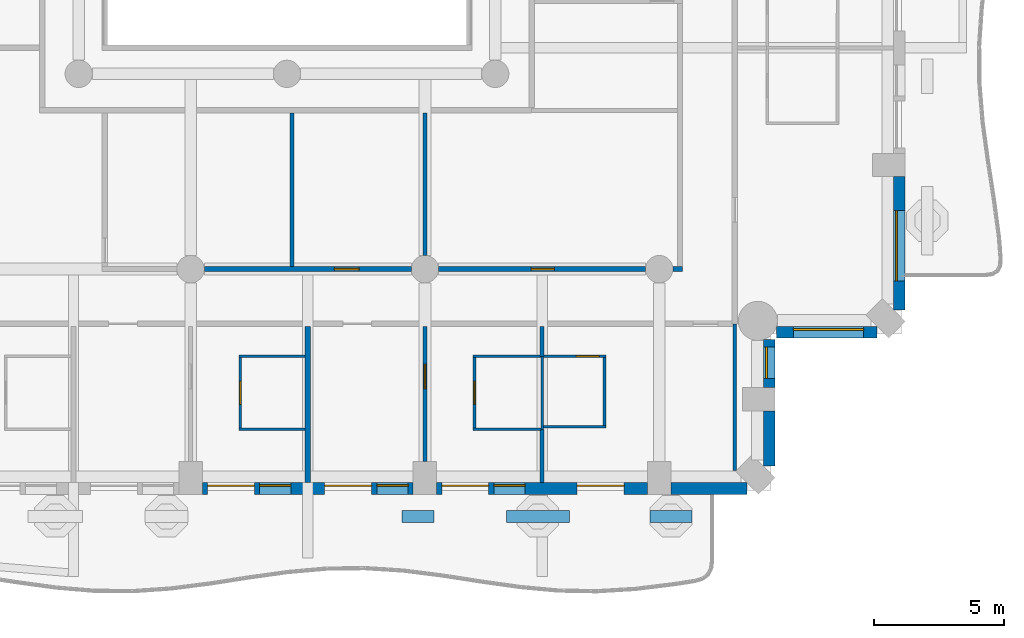
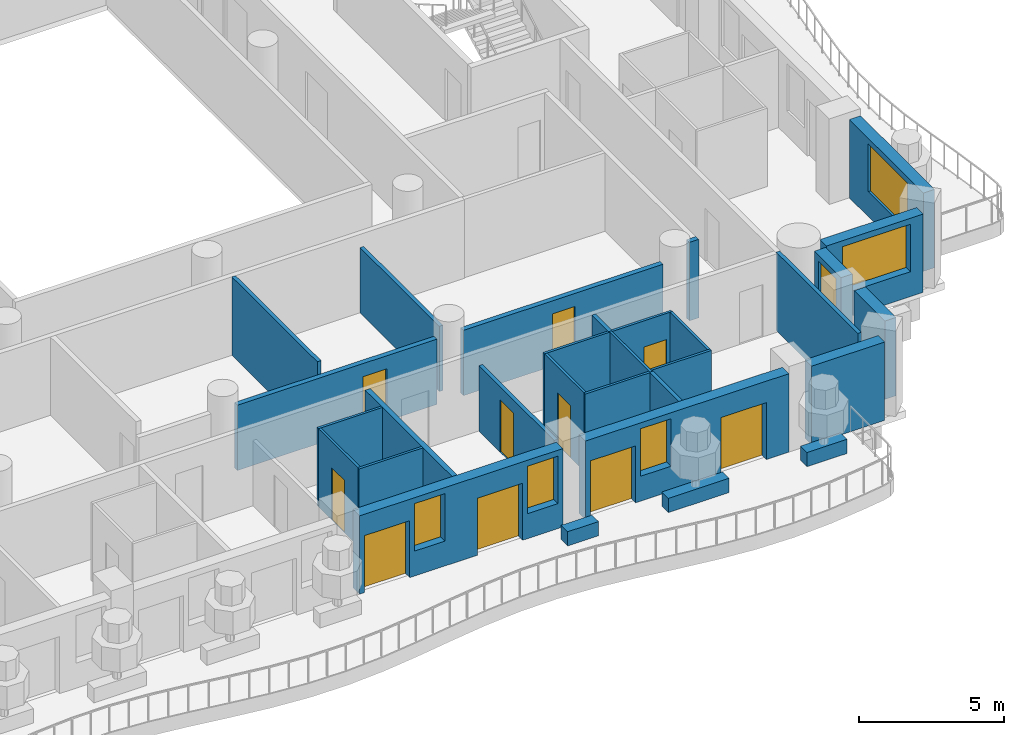
# One storey, part 5 of 19: 29 walls, 10 doors, 6 windows, 16 openings.
"""IFC4 building model written with IfcOpenShell, lengths in metres."""

import ifcopenshell
import ifcopenshell.guid

model = None  # the IFC model being written
_history = None  # IfcOwnerHistory: only IFC2X3 demands one
_inside = {}  # id of a spatial element -> (the spatial element, [elements in it])
_under = {}  # id of a project, library or spatial element -> (it, [spatial elements below it])
_declared = {}  # id of a project -> (the project, [libraries it declares])
_typed = {}  # id of a type object -> (the type object, [elements of that type])
_made_of = {}  # id of a material, layer set ... -> (it, [elements and type objects made of it])


def new_model(schema):
    """Start an empty IFC model of exactly this schema.

    Asked for "IFC4X3", IfcOpenShell would pick the latest addendum, in which some entities
    have other attributes; the version numbers below select the first issue.
    IFC2X3 requires an IfcOwnerHistory on every rooted entity: one is made here for all.
    """
    global model, _history
    if schema == "IFC4X3":
        model = ifcopenshell.file(schema_version=(4, 3, 0, 0))
    else:
        model = ifcopenshell.file(schema=schema)
    _inside.clear()
    _under.clear()
    _declared.clear()
    _typed.clear()
    _made_of.clear()
    _history = None
    if model.schema == "IFC2X3":
        org = make("IfcOrganization", Name="unknown")
        user = make(
            "IfcPersonAndOrganization",
            ThePerson=make("IfcPerson", FamilyName="unknown"),
            TheOrganization=org,
        )
        app = make(
            "IfcApplication",
            ApplicationDeveloper=org,
            Version="unknown",
            ApplicationFullName="unknown",
            ApplicationIdentifier="unknown",
        )
        _history = make(
            "IfcOwnerHistory",
            OwningUser=user,
            OwningApplication=app,
            ChangeAction="ADDED",
            CreationDate=0,
        )
    return model


def make(cls, **values):
    """One entity of the class cls with the attributes given. An attribute that is None is left unset."""
    return model.create_entity(
        cls, **{name: value for name, value in values.items() if value is not None}
    )


def rooted(cls, **values):
    """An entity with a GlobalId (a new one), such as an element, a storey or a relation."""
    return make(cls, GlobalId=ifcopenshell.guid.new(), OwnerHistory=_history, **values)


def si_unit(unit_type, name, prefix=None):
    """IfcSIUnit, for example si_unit("LENGTHUNIT", "METRE", prefix="MILLI")."""
    return make("IfcSIUnit", UnitType=unit_type, Prefix=prefix, Name=name)


def assignment(units):
    """IfcUnitAssignment: the units of a project."""
    return None if units is None else make("IfcUnitAssignment", Units=units)


def point(xyz):
    """IfcCartesianPoint."""
    return None if xyz is None else make("IfcCartesianPoint", Coordinates=xyz)


def direction(xyz):
    """IfcDirection."""
    return None if xyz is None else make("IfcDirection", DirectionRatios=xyz)


def frame(location, z_axis=None, x_axis=None):
    """IfcAxis2Placement3D, a coordinate frame: its origin and axes. An axis left out is left unset."""
    return make(
        "IfcAxis2Placement3D",
        Location=point(location),
        Axis=direction(z_axis),
        RefDirection=direction(x_axis),
    )


def frame_2d(location, x_axis=None):
    """IfcAxis2Placement2D, a coordinate frame in the plane: its origin and x axis."""
    return make(
        "IfcAxis2Placement2D", Location=point(location), RefDirection=direction(x_axis)
    )


def origin():
    """The frame at (0, 0, 0) with its axes left unset."""
    return frame((0.0, 0.0, 0.0))


def place(relative_to, where):
    """IfcLocalPlacement: puts the frame where relative to a parent placement (None: the world)."""
    return make(
        "IfcLocalPlacement", PlacementRelTo=relative_to, RelativePlacement=where
    )


def context(
    kind, dimensions, precision=None, world=None, true_north=None, identifier=None
):
    """IfcGeometricRepresentationContext, for example the 3D "Model" context."""
    return make(
        "IfcGeometricRepresentationContext",
        ContextIdentifier=identifier,
        ContextType=kind,
        CoordinateSpaceDimension=dimensions,
        Precision=precision,
        WorldCoordinateSystem=world,
        TrueNorth=true_north,
    )


def subcontext(parent, identifier, kind, view, scale=None):
    """IfcGeometricRepresentationSubContext, for example "Body" below "Model"."""
    return make(
        "IfcGeometricRepresentationSubContext",
        ContextIdentifier=identifier,
        ContextType=kind,
        ParentContext=parent,
        TargetScale=scale,
        TargetView=view,
    )


def project(units=None, contexts=None):
    """IfcProject with its units and contexts."""
    return rooted(
        "IfcProject",
        Name="project",
        RepresentationContexts=contexts,
        UnitsInContext=assignment(units),
    )


def spatial(cls, under=None, at=None, **own):
    """A site, building, storey or space (cls), placed at a placement, below another one or the project."""
    s = rooted(cls, ObjectPlacement=at, **own)
    if under is not None:
        _under.setdefault(under.id(), (under, []))[1].append(s)
    return s


def profile(cls, at=None, kind="AREA", **sizes):
    """A parametric profile (cls). Its sizes go by their IFC names, for example OverallWidth=200.0."""
    return make(cls, ProfileType=kind, Position=at, **sizes)


def rectangle(**sizes):
    """IfcRectangleProfileDef."""
    return profile("IfcRectangleProfileDef", **sizes)


def extrude(swept, where, along, depth):
    """IfcExtrudedAreaSolid: the profile swept, set in the frame where, extruded along a direction by depth."""
    return make(
        "IfcExtrudedAreaSolid",
        SweptArea=swept,
        Position=where,
        ExtrudedDirection=direction(along),
        Depth=depth,
    )


def shape(context_of_items, identifier, shape_type, items):
    """IfcShapeRepresentation: the items that make up one representation, for example the "Body"."""
    return make(
        "IfcShapeRepresentation",
        ContextOfItems=context_of_items,
        RepresentationIdentifier=identifier,
        RepresentationType=shape_type,
        Items=items,
    )


def material(Name=None, Category=None):
    """IfcMaterial."""
    return make("IfcMaterial", Name=Name, Category=Category)


def layer(
    of_material, thickness, ventilated=None, Name=None, Category=None, Priority=None
):
    """IfcMaterialLayer: one layer of a wall or slab, of a material (None: an air gap)."""
    return make(
        "IfcMaterialLayer",
        Material=of_material,
        LayerThickness=thickness,
        IsVentilated=ventilated,
        Name=Name,
        Category=Category,
        Priority=Priority,
    )


def layer_set(layers, Name=None):
    """IfcMaterialLayerSet."""
    return make("IfcMaterialLayerSet", MaterialLayers=layers, LayerSetName=Name)


def made_of(thing, what):
    """Note that an element or type object is made of a material, layer set ...; save() writes the relation."""
    if what is not None:
        _made_of.setdefault(what.id(), (what, []))[1].append(thing)
    return thing


def type_object(cls, material=None, **own):
    """A type object (cls), such as IfcWallType, which elements share."""
    return made_of(rooted(cls, **own), material)


def element(
    cls,
    number,
    at=None,
    inside=None,
    cuts=None,
    type_object=None,
    material=None,
    context=None,
    identifier="Body",
    shape_type=None,
    held_by="IfcProductDefinitionShape",
    body=None,
    shapes=None,
    **own,
):
    """One element of the class cls, such as IfcWall. Its Tag is "e" and its number.

    at: its placement. inside: the storey or other place that contains it. cuts: it is an
    opening in that element (IfcRelVoidsElement). A single representation is given by context,
    identifier, shape_type and body (its items); several are given by shapes. held_by: the class
    of the entity that holds the representations. save() writes the other relations.
    """
    e = rooted(cls, Tag="e%d" % number, ObjectPlacement=at, **own)
    if body is not None:
        shapes = [shape(context, identifier, shape_type, body)]
    if shapes is not None:
        e.Representation = make(held_by, Representations=shapes)
    if inside is not None:
        _inside.setdefault(inside.id(), (inside, []))[1].append(e)
    if cuts is not None:
        rooted(
            "IfcRelVoidsElement", RelatingBuildingElement=cuts, RelatedOpeningElement=e
        )
    if type_object is not None:
        _typed.setdefault(type_object.id(), (type_object, []))[1].append(e)
    return made_of(e, material)


def fill(opening, filler):
    """IfcRelFillsElement: the door or window that sits in an opening."""
    return rooted(
        "IfcRelFillsElement",
        RelatingOpeningElement=opening,
        RelatedBuildingElement=filler,
    )


def aggregate(whole, parts):
    """IfcRelAggregates: a whole, such as a stair, and the parts it consists of."""
    return rooted("IfcRelAggregates", RelatingObject=whole, RelatedObjects=parts)


def save(model, path):
    """Write the relations noted so far, then the file.

    IfcRelAggregates (storeys below a building ...), IfcRelContainedInSpatialStructure (elements
    in a storey), IfcRelDefinesByType, IfcRelAssociatesMaterial and IfcRelDeclares: one each for
    every whole, place, type object, material and project.
    """
    for whole, parts in _under.values():
        aggregate(whole, parts)
    for where, things in _inside.values():
        rooted(
            "IfcRelContainedInSpatialStructure",
            RelatedElements=things,
            RelatingStructure=where,
        )
    for kind, things in _typed.values():
        rooted("IfcRelDefinesByType", RelatedObjects=things, RelatingType=kind)
    for what, things in _made_of.values():
        rooted("IfcRelAssociatesMaterial", RelatedObjects=things, RelatingMaterial=what)
    for by, libraries in _declared.values():
        rooted("IfcRelDeclares", RelatingContext=by, RelatedDefinitions=libraries)
    model.write(path)


model = new_model("IFC4")

# Units and contexts
model_context = context("Model", 3, precision=1e-05, world=origin(), true_north=direction((0.0, 1.0)))
body_context = subcontext(model_context, "Body", "Model", "MODEL_VIEW")
ifc_project = project(units=[si_unit("LENGTHUNIT", "METRE"), si_unit("AREAUNIT", "SQUARE_METRE"), si_unit("VOLUMEUNIT", "CUBIC_METRE"), si_unit("PLANEANGLEUNIT", "RADIAN"), si_unit("MASSUNIT", "GRAM", prefix="KILO")], contexts=[model_context])

# Site, building, storey
site_placement = place(None, origin())
site = spatial("IfcSite", under=ifc_project, at=site_placement, CompositionType="ELEMENT")
building_placement = place(site_placement, origin())
building = spatial("IfcBuilding", under=site, at=building_placement, Name="Cypress Arch Tower", CompositionType="ELEMENT")
storey_placement = place(building_placement, frame((0.0, 0.0, 141.89990234375)))
storey = spatial("IfcBuildingStorey", under=building, at=storey_placement, Name="L31", CompositionType="ELEMENT", Elevation=141.89990234375)

# Walls
ifc_material_1 = material(Name="Concrete C40/50, waterproofed", Category="concrete")
ifc_layer_1 = layer(ifc_material_1, 0.449951171875)
ifc_layer_set_1 = layer_set([ifc_layer_1], Name="Balcony planter wall PW450")
wall_type_1 = type_object("IfcWallType", Name="Balcony planter wall PW450", PredefinedType="SOLIDWALL", material=ifc_layer_set_1)
wall_1_placement = place(storey_placement, frame((5.419921875, -27.0, 0.0), z_axis=(0.0, 0.0, 1.0), x_axis=(1.0, 0.0, 0.0)))
element("IfcWall", 1, at=wall_1_placement, inside=storey, type_object=wall_type_1, Name="Balcony planter wall L31-A03.5", PredefinedType="SOLIDWALL", context=body_context, shape_type="SweptSolid", body=[
    extrude(rectangle(XDim=1.22998046875, YDim=0.449951171875, at=frame_2d((0.614990234375, 0.0))), origin(), (0.0, 0.0, 1.0), 0.60009765625),
])
wall_2_placement = place(storey_placement, frame((9.429931640625, -27.0, 0.0), z_axis=(0.0, 0.0, 1.0), x_axis=(1.0, 0.0, 0.0)))
element("IfcWall", 2, at=wall_2_placement, inside=storey, type_object=wall_type_1, Name="Balcony planter wall L31-A03.6", PredefinedType="SOLIDWALL", context=body_context, shape_type="SweptSolid", body=[
    extrude(rectangle(XDim=2.420166015625, YDim=0.449951171875, at=frame_2d((1.2099609375, 0.0))), origin(), (0.0, 0.0, 1.0), 0.60009765625),
])
wall_3_placement = place(storey_placement, frame((14.949951171875, -27.0, 0.0), z_axis=(0.0, 0.0, 1.0), x_axis=(1.0, 0.0, 0.0)))
element("IfcWall", 3, at=wall_3_placement, inside=storey, type_object=wall_type_1, Name="Balcony planter wall L31-A03.7", PredefinedType="SOLIDWALL", context=body_context, shape_type="SweptSolid", body=[
    extrude(rectangle(XDim=1.60009765625, YDim=0.449951171875, at=frame_2d((0.800048828125, 0.0))), origin(), (0.0, 0.0, 1.0), 0.60009765625),
])

# Wall, openings, doors, windows
ifc_material_2 = material(Name="Brick (red buff blend)", Category="masonry")
ifc_layer_2 = layer(ifc_material_2, 0.449951171875)
ifc_layer_set_2 = layer_set([ifc_layer_2], Name="Brick pier and spandrel wall BW450")
wall_type_2 = type_object("IfcWallType", Name="Brick pier and spandrel wall BW450", PredefinedType="SOLIDWALL", material=ifc_layer_set_2)
wall_4_placement = place(storey_placement, frame((-2.25, -25.925048828125, 0.0), z_axis=(0.0, 0.0, 1.0), x_axis=(1.0, 0.0, 0.0)))
wall_4 = element("IfcWall", 4, at=wall_4_placement, inside=storey, type_object=wall_type_2, Name="Brick wall L31 A03.3", PredefinedType="SOLIDWALL", context=body_context, shape_type="SweptSolid", body=[
    extrude(rectangle(XDim=8.10009765625, YDim=0.449951171875, at=frame_2d((4.050048828125, 0.0))), origin(), (0.0, 0.0, 1.0), 3.300048828125),
])
opening_1_placement = place(wall_4_placement, frame((0.199951171875, 0.0, 0.0)))
opening_1 = element("IfcOpeningElement", 5, at=opening_1_placement, cuts=wall_4, Name="Opening D-L31-A03.3.1", PredefinedType="OPENING", context=body_context, shape_type="SweptSolid", body=[
    extrude(rectangle(XDim=1.800048828125, YDim=2.39990234375, at=frame_2d((0.89990234375, 1.199951171875))), frame((0.0, 0.23486328125, 0.0), z_axis=(0.0, -1.0, 0.0), x_axis=(1.0, 0.0, 0.0)), (0.0, 0.0, 1.0), 0.469970703125),
])
opening_2_placement = place(wall_4_placement, frame((2.199951171875, 0.0, 1.050048828125)))
opening_2 = element("IfcOpeningElement", 6, at=opening_2_placement, cuts=wall_4, Name="Opening W120HD", PredefinedType="OPENING", context=body_context, shape_type="SweptSolid", body=[
    extrude(rectangle(XDim=1.199951171875, YDim=2.0, at=frame_2d((0.60009765625, 1.0))), frame((0.0, 0.23486328125, 0.0), z_axis=(0.0, -1.0, 0.0), x_axis=(1.0, 0.0, 0.0)), (0.0, 0.0, 1.0), 0.469970703125),
])
opening_3_placement = place(wall_4_placement, frame((4.699951171875, 0.0, 0.0)))
opening_3 = element("IfcOpeningElement", 7, at=opening_3_placement, cuts=wall_4, Name="Opening D-L31-A03.3.2", PredefinedType="OPENING", context=body_context, shape_type="SweptSolid", body=[
    extrude(rectangle(XDim=1.800048828125, YDim=2.39990234375, at=frame_2d((0.89990234375, 1.199951171875))), frame((0.0, 0.23486328125, 0.0), z_axis=(0.0, -1.0, 0.0), x_axis=(1.0, 0.0, 0.0)), (0.0, 0.0, 1.0), 0.469970703125),
])
opening_4_placement = place(wall_4_placement, frame((6.699951171875, 0.0, 1.050048828125)))
opening_4 = element("IfcOpeningElement", 8, at=opening_4_placement, cuts=wall_4, Name="Opening W120HD", PredefinedType="OPENING", context=body_context, shape_type="SweptSolid", body=[
    extrude(rectangle(XDim=1.199951171875, YDim=2.0, at=frame_2d((0.60009765625, 1.0))), frame((0.0, 0.23486328125, 0.0), z_axis=(0.0, -1.0, 0.0), x_axis=(1.0, 0.0, 0.0)), (0.0, 0.0, 1.0), 0.469970703125),
])
ifc_material_3 = material(Name="Anodised aluminium, bronze finish, laminated low-emissivity double glazing, large-missile impact rated", Category="aluminium")
door_type_1 = type_object("IfcDoorType", Name="Balcony sliding door 1800x2400", OperationType="SLIDING_TO_LEFT", PredefinedType="DOOR", material=ifc_material_3)
door_1_placement = place(opening_1_placement, origin())
door_1 = element("IfcDoor", 9, at=door_1_placement, inside=storey, type_object=door_type_1, Name="Balcony door L31 A03.3.1", OperationType="SLIDING_TO_LEFT", OverallHeight=2.39990234375, OverallWidth=1.800048828125, PredefinedType="DOOR", context=body_context, shape_type="SweptSolid", body=[
    extrude(rectangle(XDim=1.800048828125, YDim=2.39990234375, at=frame_2d((0.89990234375, 1.199951171875))), frame((0.0, 0.1298828125, 0.0), z_axis=(0.0, -1.0, 0.0), x_axis=(1.0, 0.0, 0.0)), (0.0, 0.0, 1.0), 0.050048828125),
])
fill(opening_1, door_1)
door_2_placement = place(opening_3_placement, origin())
door_2 = element("IfcDoor", 10, at=door_2_placement, inside=storey, type_object=door_type_1, Name="Balcony door L31 A03.3.2", OperationType="SLIDING_TO_LEFT", OverallHeight=2.39990234375, OverallWidth=1.800048828125, PredefinedType="DOOR", context=body_context, shape_type="SweptSolid", body=[
    extrude(rectangle(XDim=1.800048828125, YDim=2.39990234375, at=frame_2d((0.89990234375, 1.199951171875))), frame((0.0, 0.1298828125, 0.0), z_axis=(0.0, -1.0, 0.0), x_axis=(1.0, 0.0, 0.0)), (0.0, 0.0, 1.0), 0.050048828125),
])
fill(opening_3, door_2)
ifc_material_4 = material(Name="Anodised aluminium, bronze finish, laminated low-emissivity double glazing, large-missile impact rated", Category="aluminium")
window_type_1 = type_object("IfcWindowType", Name="Window Hotel 1200x2000 debris-rated", PartitioningType="SINGLE_PANEL", PredefinedType="WINDOW", material=ifc_material_4)
window_1_placement = place(opening_2_placement, origin())
window_1 = element("IfcWindow", 11, at=window_1_placement, inside=storey, type_object=window_type_1, Name="Window L31 A03.3.1", OverallHeight=2.0, OverallWidth=1.199951171875, PartitioningType="SINGLE_PANEL", PredefinedType="WINDOW", context=body_context, shape_type="SweptSolid", body=[
    extrude(rectangle(XDim=1.199951171875, YDim=2.0, at=frame_2d((0.60009765625, 1.0))), frame((0.0, 0.135009765625, 0.0), z_axis=(0.0, -1.0, 0.0), x_axis=(1.0, 0.0, 0.0)), (0.0, 0.0, 1.0), 0.06005859375),
])
fill(opening_2, window_1)
window_2_placement = place(opening_4_placement, origin())
window_2 = element("IfcWindow", 12, at=window_2_placement, inside=storey, type_object=window_type_1, Name="Window L31 A03.3.2", OverallHeight=2.0, OverallWidth=1.199951171875, PartitioningType="SINGLE_PANEL", PredefinedType="WINDOW", context=body_context, shape_type="SweptSolid", body=[
    extrude(rectangle(XDim=1.199951171875, YDim=2.0, at=frame_2d((0.60009765625, 1.0))), frame((0.0, 0.135009765625, 0.0), z_axis=(0.0, -1.0, 0.0), x_axis=(1.0, 0.0, 0.0)), (0.0, 0.0, 1.0), 0.06005859375),
])
fill(opening_4, window_2)

# Wall, openings, doors, window
wall_5_placement = place(storey_placement, frame((6.75, -25.925048828125, 0.0), z_axis=(0.0, 0.0, 1.0), x_axis=(1.0, 0.0, 0.0)))
wall_5 = element("IfcWall", 13, at=wall_5_placement, inside=storey, type_object=wall_type_2, Name="Brick wall L31 A03.4", PredefinedType="SOLIDWALL", context=body_context, shape_type="SweptSolid", body=[
    extrude(rectangle(XDim=8.10009765625, YDim=0.449951171875, at=frame_2d((4.050048828125, 0.0))), origin(), (0.0, 0.0, 1.0), 3.300048828125),
])
opening_5_placement = place(wall_5_placement, frame((0.199951171875, 0.0, 0.0)))
opening_5 = element("IfcOpeningElement", 14, at=opening_5_placement, cuts=wall_5, Name="Opening D-L31-A03.4.1", PredefinedType="OPENING", context=body_context, shape_type="SweptSolid", body=[
    extrude(rectangle(XDim=1.800048828125, YDim=2.39990234375, at=frame_2d((0.89990234375, 1.199951171875))), frame((0.0, 0.23486328125, 0.0), z_axis=(0.0, -1.0, 0.0), x_axis=(1.0, 0.0, 0.0)), (0.0, 0.0, 1.0), 0.469970703125),
])
opening_6_placement = place(wall_5_placement, frame((2.199951171875, 0.0, 1.050048828125)))
opening_6 = element("IfcOpeningElement", 15, at=opening_6_placement, cuts=wall_5, Name="Opening W120HD", PredefinedType="OPENING", context=body_context, shape_type="SweptSolid", body=[
    extrude(rectangle(XDim=1.199951171875, YDim=2.0, at=frame_2d((0.60009765625, 1.0))), frame((0.0, 0.23486328125, 0.0), z_axis=(0.0, -1.0, 0.0), x_axis=(1.0, 0.0, 0.0)), (0.0, 0.0, 1.0), 0.469970703125),
])
opening_7_placement = place(wall_5_placement, frame((5.39990234375, 0.0, 0.0)))
opening_7 = element("IfcOpeningElement", 16, at=opening_7_placement, cuts=wall_5, Name="Opening D-L31-A03.4.2", PredefinedType="OPENING", context=body_context, shape_type="SweptSolid", body=[
    extrude(rectangle(XDim=1.800048828125, YDim=2.39990234375, at=frame_2d((0.89990234375, 1.199951171875))), frame((0.0, 0.23486328125, 0.0), z_axis=(0.0, -1.0, 0.0), x_axis=(1.0, 0.0, 0.0)), (0.0, 0.0, 1.0), 0.469970703125),
])
door_3_placement = place(opening_5_placement, origin())
door_3 = element("IfcDoor", 17, at=door_3_placement, inside=storey, type_object=door_type_1, Name="Balcony door L31 A03.4.1", OperationType="SLIDING_TO_LEFT", OverallHeight=2.39990234375, OverallWidth=1.800048828125, PredefinedType="DOOR", context=body_context, shape_type="SweptSolid", body=[
    extrude(rectangle(XDim=1.800048828125, YDim=2.39990234375, at=frame_2d((0.89990234375, 1.199951171875))), frame((0.0, 0.1298828125, 0.0), z_axis=(0.0, -1.0, 0.0), x_axis=(1.0, 0.0, 0.0)), (0.0, 0.0, 1.0), 0.050048828125),
])
fill(opening_5, door_3)
door_4_placement = place(opening_7_placement, origin())
door_4 = element("IfcDoor", 18, at=door_4_placement, inside=storey, type_object=door_type_1, Name="Balcony door L31 A03.4.2", OperationType="SLIDING_TO_LEFT", OverallHeight=2.39990234375, OverallWidth=1.800048828125, PredefinedType="DOOR", context=body_context, shape_type="SweptSolid", body=[
    extrude(rectangle(XDim=1.800048828125, YDim=2.39990234375, at=frame_2d((0.89990234375, 1.199951171875))), frame((0.0, 0.1298828125, 0.0), z_axis=(0.0, -1.0, 0.0), x_axis=(1.0, 0.0, 0.0)), (0.0, 0.0, 1.0), 0.050048828125),
])
fill(opening_7, door_4)
window_3_placement = place(opening_6_placement, origin())
window_3 = element("IfcWindow", 19, at=window_3_placement, inside=storey, type_object=window_type_1, Name="Window L31 A03.4.1", OverallHeight=2.0, OverallWidth=1.199951171875, PartitioningType="SINGLE_PANEL", PredefinedType="WINDOW", context=body_context, shape_type="SweptSolid", body=[
    extrude(rectangle(XDim=1.199951171875, YDim=2.0, at=frame_2d((0.60009765625, 1.0))), frame((0.0, 0.135009765625, 0.0), z_axis=(0.0, -1.0, 0.0), x_axis=(1.0, 0.0, 0.0)), (0.0, 0.0, 1.0), 0.06005859375),
])
fill(opening_6, window_3)

# Walls
wall_6_placement = place(storey_placement, frame((15.75, -25.925048828125, 0.0), z_axis=(0.0, 0.0, 1.0), x_axis=(1.0, 0.0, 0.0)))
element("IfcWall", 20, at=wall_6_placement, inside=storey, type_object=wall_type_2, Name="Brick wall L31 A03.5", PredefinedType="SOLIDWALL", context=body_context, shape_type="SweptSolid", body=[
    extrude(rectangle(XDim=2.91357421875, YDim=0.449951171875, at=frame_2d((1.456787109375, 0.0))), origin(), (0.0, 0.0, 1.0), 3.300048828125),
])
wall_7_placement = place(storey_placement, frame((19.52490234375, -25.063720703125, 0.0), z_axis=(0.0, 0.0, 1.0), x_axis=(0.0, 1.0, 0.0)))
element("IfcWall", 21, at=wall_7_placement, inside=storey, type_object=wall_type_2, Name="Brick wall L31 A04.0", PredefinedType="SOLIDWALL", context=body_context, shape_type="SweptSolid", body=[
    extrude(rectangle(XDim=2.11376953125, YDim=0.449951171875, at=frame_2d((1.056884765625, 0.0))), origin(), (0.0, 0.0, 1.0), 3.300048828125),
])

# Wall, opening, window
wall_8_placement = place(storey_placement, frame((19.52490234375, -22.050048828125, 0.0), z_axis=(0.0, 0.0, 1.0), x_axis=(0.0, 1.0, 0.0)))
wall_8 = element("IfcWall", 22, at=wall_8_placement, inside=storey, type_object=wall_type_2, Name="Brick wall L31 A04.1", PredefinedType="SOLIDWALL", context=body_context, shape_type="SweptSolid", body=[
    extrude(rectangle(XDim=1.843017578125, YDim=0.449951171875, at=frame_2d((0.92138671875, 0.0))), origin(), (0.0, 0.0, 1.0), 3.300048828125),
])
opening_8_placement = place(wall_8_placement, frame((0.35009765625, 0.0, 1.050048828125)))
opening_8 = element("IfcOpeningElement", 23, at=opening_8_placement, cuts=wall_8, Name="Opening W120H", PredefinedType="OPENING", context=body_context, shape_type="SweptSolid", body=[
    extrude(rectangle(XDim=1.199951171875, YDim=2.0, at=frame_2d((0.60009765625, 1.0))), frame((0.0, 0.23486328125, 0.0), z_axis=(0.0, -1.0, 0.0), x_axis=(1.0, 0.0, 0.0)), (0.0, 0.0, 1.0), 0.469970703125),
])
ifc_material_5 = material(Name="Anodised aluminium, bronze finish, clear low-emissivity double glazing", Category="aluminium")
window_type_2 = type_object("IfcWindowType", Name="Window Hotel 1200x2000", PartitioningType="SINGLE_PANEL", PredefinedType="WINDOW", material=ifc_material_5)
window_4_placement = place(opening_8_placement, origin())
window_4 = element("IfcWindow", 24, at=window_4_placement, inside=storey, type_object=window_type_2, Name="Window L31 A04.1.1", OverallHeight=2.0, OverallWidth=1.199951171875, PartitioningType="SINGLE_PANEL", PredefinedType="WINDOW", context=body_context, shape_type="SweptSolid", body=[
    extrude(rectangle(XDim=1.199951171875, YDim=2.0, at=frame_2d((0.60009765625, 1.0))), frame((0.0, 0.135009765625, 0.0), z_axis=(0.0, -1.0, 0.0), x_axis=(1.0, 0.0, 0.0)), (0.0, 0.0, 1.0), 0.06005859375),
])
fill(opening_8, window_4)

wall_9_placement = place(storey_placement, frame((19.806884765625, -19.925048828125, 0.0), z_axis=(0.0, 0.0, 1.0), x_axis=(1.0, 0.0, 0.0)))
wall_9 = element("IfcWall", 25, at=wall_9_placement, inside=storey, type_object=wall_type_2, Name="Brick wall L31 A05.0", PredefinedType="SOLIDWALL", context=body_context, shape_type="SweptSolid", body=[
    extrude(rectangle(XDim=3.856689453125, YDim=0.449951171875, at=frame_2d((1.92822265625, 0.0))), origin(), (0.0, 0.0, 1.0), 3.300048828125),
])
opening_9_placement = place(wall_9_placement, frame((0.64306640625, 0.0, 1.050048828125)))
opening_9 = element("IfcOpeningElement", 26, at=opening_9_placement, cuts=wall_9, Name="Opening W270H", PredefinedType="OPENING", context=body_context, shape_type="SweptSolid", body=[
    extrude(rectangle(XDim=2.699951171875, YDim=2.0, at=frame_2d((1.35009765625, 1.0))), frame((0.0, 0.23486328125, 0.0), z_axis=(0.0, -1.0, 0.0), x_axis=(1.0, 0.0, 0.0)), (0.0, 0.0, 1.0), 0.469970703125),
])
ifc_material_6 = material(Name="Anodised aluminium, bronze finish, clear low-emissivity double glazing", Category="aluminium")
window_type_3 = type_object("IfcWindowType", Name="Window Hotel 2700x2000", PartitioningType="SINGLE_PANEL", PredefinedType="WINDOW", material=ifc_material_6)
window_5_placement = place(opening_9_placement, origin())
window_5 = element("IfcWindow", 27, at=window_5_placement, inside=storey, type_object=window_type_3, Name="Window L31 A05.0.1", OverallHeight=2.0, OverallWidth=2.699951171875, PartitioningType="SINGLE_PANEL", PredefinedType="WINDOW", context=body_context, shape_type="SweptSolid", body=[
    extrude(rectangle(XDim=2.699951171875, YDim=2.0, at=frame_2d((1.35009765625, 1.0))), frame((0.0, 0.135009765625, 0.0), z_axis=(0.0, -1.0, 0.0), x_axis=(1.0, 0.0, 0.0)), (0.0, 0.0, 1.0), 0.06005859375),
])
fill(opening_9, window_5)

wall_10_placement = place(storey_placement, frame((24.52490234375, -19.063720703125, 0.0), z_axis=(0.0, 0.0, 1.0), x_axis=(0.0, 1.0, 0.0)))
wall_10 = element("IfcWall", 28, at=wall_10_placement, inside=storey, type_object=wall_type_2, Name="Brick wall L31 A06.0", PredefinedType="SOLIDWALL", context=body_context, shape_type="SweptSolid", body=[
    extrude(rectangle(XDim=5.11376953125, YDim=0.449951171875, at=frame_2d((2.556884765625, 0.0))), origin(), (0.0, 0.0, 1.0), 3.300048828125),
])
opening_10_placement = place(wall_10_placement, frame((1.113525390625, 0.0, 1.050048828125)))
opening_10 = element("IfcOpeningElement", 29, at=opening_10_placement, cuts=wall_10, Name="Opening W270HD", PredefinedType="OPENING", context=body_context, shape_type="SweptSolid", body=[
    extrude(rectangle(XDim=2.699951171875, YDim=2.0, at=frame_2d((1.35009765625, 1.0))), frame((0.0, 0.23486328125, 0.0), z_axis=(0.0, -1.0, 0.0), x_axis=(1.0, 0.0, 0.0)), (0.0, 0.0, 1.0), 0.469970703125),
])
ifc_material_7 = material(Name="Anodised aluminium, bronze finish, laminated low-emissivity double glazing, large-missile impact rated", Category="aluminium")
window_type_4 = type_object("IfcWindowType", Name="Window Hotel 2700x2000 debris-rated", PartitioningType="SINGLE_PANEL", PredefinedType="WINDOW", material=ifc_material_7)
window_6_placement = place(opening_10_placement, origin())
window_6 = element("IfcWindow", 30, at=window_6_placement, inside=storey, type_object=window_type_4, Name="Window L31 A06.0.1", OverallHeight=2.0, OverallWidth=2.699951171875, PartitioningType="SINGLE_PANEL", PredefinedType="WINDOW", context=body_context, shape_type="SweptSolid", body=[
    extrude(rectangle(XDim=2.699951171875, YDim=2.0, at=frame_2d((1.35009765625, 1.0))), frame((0.0, 0.135009765625, 0.0), z_axis=(0.0, -1.0, 0.0), x_axis=(1.0, 0.0, 0.0)), (0.0, 0.0, 1.0), 0.06005859375),
])
fill(opening_10, window_6)

# Wall, opening, door
ifc_material_8 = material(Name="Concrete blockwork, plastered, rated", Category="masonry")
ifc_layer_3 = layer(ifc_material_8, 0.199951171875)
ifc_layer_set_3 = layer_set([ifc_layer_3], Name="Corridor wall FW200")
wall_type_3 = type_object("IfcWallType", Name="Corridor wall FW200", PredefinedType="PARTITIONING", material=ifc_layer_set_3)
wall_11_placement = place(storey_placement, frame((-2.175048828125, -17.5, 0.0), z_axis=(0.0, 0.0, 1.0), x_axis=(1.0, 0.0, 0.0)))
wall_11 = element("IfcWall", 31, at=wall_11_placement, inside=storey, type_object=wall_type_3, Name="Corridor wall", PredefinedType="PARTITIONING", context=body_context, shape_type="SweptSolid", body=[
    extrude(rectangle(XDim=7.949951171875, YDim=0.199951171875, at=frame_2d((3.97509765625, 0.0))), origin(), (0.0, 0.0, 1.0), 2.75),
])
opening_11_placement = place(wall_11_placement, frame((5.0, 0.0, 0.0)))
opening_11 = element("IfcOpeningElement", 32, at=opening_11_placement, cuts=wall_11, Name="Opening D02", PredefinedType="OPENING", context=body_context, shape_type="SweptSolid", body=[
    extrude(rectangle(XDim=0.949951171875, YDim=2.199951171875, at=frame_2d((0.47509765625, 1.10009765625))), frame((0.0, 0.10986328125, 0.0), z_axis=(0.0, -1.0, 0.0), x_axis=(1.0, 0.0, 0.0)), (0.0, 0.0, 1.0), 0.219970703125),
])
ifc_material_9 = material(Name="Timber flush door, fire resisting", Category="wood")
door_type_2 = type_object("IfcDoorType", Name="Room door D02 950x2200", OperationType="SINGLE_SWING_LEFT", PredefinedType="DOOR", material=ifc_material_9)
door_5_placement = place(opening_11_placement, origin())
door_5 = element("IfcDoor", 33, at=door_5_placement, inside=storey, type_object=door_type_2, Name="Room door", OperationType="SINGLE_SWING_LEFT", OverallHeight=2.199951171875, OverallWidth=0.949951171875, PredefinedType="DOOR", context=body_context, shape_type="SweptSolid", body=[
    extrude(rectangle(XDim=0.949951171875, YDim=2.199951171875, at=frame_2d((0.47509765625, 1.10009765625))), frame((0.0, 0.02490234375, 0.0), z_axis=(0.0, -1.0, 0.0), x_axis=(1.0, 0.0, 0.0)), (0.0, 0.0, 1.0), 0.050048828125),
])
fill(opening_11, door_5)

wall_12_placement = place(storey_placement, frame((6.824951171875, -17.5, 0.0), z_axis=(0.0, 0.0, 1.0), x_axis=(1.0, 0.0, 0.0)))
wall_12 = element("IfcWall", 34, at=wall_12_placement, inside=storey, type_object=wall_type_3, Name="Corridor wall", PredefinedType="PARTITIONING", context=body_context, shape_type="SweptSolid", body=[
    extrude(rectangle(XDim=7.949951171875, YDim=0.199951171875, at=frame_2d((3.97509765625, 0.0))), origin(), (0.0, 0.0, 1.0), 2.75),
])
opening_12_placement = place(wall_12_placement, frame((3.550048828125, 0.0, 0.0)))
opening_12 = element("IfcOpeningElement", 35, at=opening_12_placement, cuts=wall_12, Name="Opening D05", PredefinedType="OPENING", context=body_context, shape_type="SweptSolid", body=[
    extrude(rectangle(XDim=0.89990234375, YDim=2.199951171875, at=frame_2d((0.449951171875, 1.10009765625))), frame((0.0, 0.10986328125, 0.0), z_axis=(0.0, -1.0, 0.0), x_axis=(1.0, 0.0, 0.0)), (0.0, 0.0, 1.0), 0.219970703125),
])
ifc_material_10 = material(Name="Timber flush door", Category="wood")
door_type_3 = type_object("IfcDoorType", Name="Service door D05 900x2200", OperationType="SINGLE_SWING_LEFT", PredefinedType="DOOR", material=ifc_material_10)
door_6_placement = place(opening_12_placement, origin())
door_6 = element("IfcDoor", 36, at=door_6_placement, inside=storey, type_object=door_type_3, Name="Service door", OperationType="SINGLE_SWING_RIGHT", OverallHeight=2.199951171875, OverallWidth=0.89990234375, PredefinedType="DOOR", context=body_context, shape_type="SweptSolid", body=[
    extrude(rectangle(XDim=0.89990234375, YDim=2.199951171875, at=frame_2d((0.449951171875, 1.10009765625))), frame((0.0, 0.02490234375, 0.0), z_axis=(0.0, -1.0, 0.0), x_axis=(1.0, 0.0, 0.0)), (0.0, 0.0, 1.0), 0.050048828125),
])
fill(opening_12, door_6)

# Walls
wall_13_placement = place(storey_placement, frame((15.824951171875, -17.5, 0.0), z_axis=(0.0, 0.0, 1.0), x_axis=(1.0, 0.0, 0.0)))
element("IfcWall", 37, at=wall_13_placement, inside=storey, type_object=wall_type_3, Name="Corridor wall", PredefinedType="PARTITIONING", context=body_context, shape_type="SweptSolid", body=[
    extrude(rectangle(XDim=0.375, YDim=0.199951171875, at=frame_2d((0.1875, 0.0))), origin(), (0.0, 0.0, 1.0), 3.300048828125),
])
ifc_material_11 = material(Name="Blockwork, plastered both sides", Category="masonry")
ifc_layer_4 = layer(ifc_material_11, 0.14990234375)
ifc_layer_set_4 = layer_set([ifc_layer_4], Name="Partition PW150")
wall_type_4 = type_object("IfcWallType", Name="Partition PW150", PredefinedType="PARTITIONING", material=ifc_layer_set_4)
wall_14_placement = place(storey_placement, frame((1.199951171875, -17.39990234375, 0.0), z_axis=(0.0, 0.0, 1.0), x_axis=(0.0, 1.0, 0.0)))
element("IfcWall", 38, at=wall_14_placement, inside=storey, type_object=wall_type_4, Name="Partition", PredefinedType="PARTITIONING", context=body_context, shape_type="SweptSolid", body=[
    extrude(rectangle(XDim=5.89990234375, YDim=0.14990234375, at=frame_2d((2.949951171875, 0.0))), origin(), (0.0, 0.0, 1.0), 3.300048828125),
])

# Wall, opening, door
wall_15_placement = place(storey_placement, frame((6.300048828125, -24.89990234375, 0.0), z_axis=(0.0, 0.0, 1.0), x_axis=(0.0, 1.0, 0.0)))
wall_15 = element("IfcWall", 39, at=wall_15_placement, inside=storey, type_object=wall_type_4, Name="Partition", PredefinedType="PARTITIONING", context=body_context, shape_type="SweptSolid", body=[
    extrude(rectangle(XDim=5.199951171875, YDim=0.14990234375, at=frame_2d((2.60009765625, 0.0))), origin(), (0.0, 0.0, 1.0), 2.75),
])
opening_13_placement = place(wall_15_placement, frame((2.800048828125, 0.0, 0.0)))
opening_13 = element("IfcOpeningElement", 40, at=opening_13_placement, cuts=wall_15, Name="Opening D12", PredefinedType="OPENING", context=body_context, shape_type="SweptSolid", body=[
    extrude(rectangle(XDim=0.949951171875, YDim=2.199951171875, at=frame_2d((0.47509765625, 1.10009765625))), frame((0.0, 0.0849609375, 0.0), z_axis=(0.0, -1.0, 0.0), x_axis=(1.0, 0.0, 0.0)), (0.0, 0.0, 1.0), 0.169921875),
])
ifc_material_12 = material(Name="Timber flush door", Category="wood")
door_type_4 = type_object("IfcDoorType", Name="Room door D12 950x2200", OperationType="SINGLE_SWING_LEFT", PredefinedType="DOOR", material=ifc_material_12)
door_7_placement = place(opening_13_placement, origin())
door_7 = element("IfcDoor", 41, at=door_7_placement, inside=storey, type_object=door_type_4, Name="Room door", OperationType="SINGLE_SWING_RIGHT", OverallHeight=2.199951171875, OverallWidth=0.949951171875, PredefinedType="DOOR", context=body_context, shape_type="SweptSolid", body=[
    extrude(rectangle(XDim=0.949951171875, YDim=2.199951171875, at=frame_2d((0.47509765625, 1.10009765625))), frame((0.0, 0.02490234375, 0.0), z_axis=(0.0, -1.0, 0.0), x_axis=(1.0, 0.0, 0.0)), (0.0, 0.0, 1.0), 0.050048828125),
])
fill(opening_13, door_7)

# Walls
wall_16_placement = place(storey_placement, frame((6.300048828125, -16.97509765625, 0.0), z_axis=(0.0, 0.0, 1.0), x_axis=(0.0, 1.0, 0.0)))
element("IfcWall", 42, at=wall_16_placement, inside=storey, type_object=wall_type_4, Name="Partition", PredefinedType="PARTITIONING", context=body_context, shape_type="SweptSolid", body=[
    extrude(rectangle(XDim=5.47509765625, YDim=0.14990234375, at=frame_2d((2.737548828125, 0.0))), origin(), (0.0, 0.0, 1.0), 2.75),
])
wall_17_placement = place(storey_placement, frame((10.800048828125, -25.699951171875, 0.0), z_axis=(0.0, 0.0, 1.0), x_axis=(0.0, 1.0, 0.0)))
element("IfcWall", 43, at=wall_17_placement, inside=storey, type_object=wall_type_4, Name="Partition", PredefinedType="PARTITIONING", context=body_context, shape_type="SweptSolid", body=[
    extrude(rectangle(XDim=2.030029296875, YDim=0.14990234375, at=frame_2d((1.01513671875, 0.0))), origin(), (0.0, 0.0, 1.0), 3.300048828125),
])
wall_18_placement = place(storey_placement, frame((10.800048828125, -20.85009765625, 0.0), z_axis=(0.0, 0.0, 1.0), x_axis=(0.0, 1.0, 0.0)))
element("IfcWall", 44, at=wall_18_placement, inside=storey, type_object=wall_type_4, Name="Partition", PredefinedType="PARTITIONING", context=body_context, shape_type="SweptSolid", body=[
    extrude(rectangle(XDim=1.150146484375, YDim=0.14990234375, at=frame_2d((0.5751953125, 0.0))), origin(), (0.0, 0.0, 1.0), 3.300048828125),
])
wall_19_placement = place(storey_placement, frame((18.199951171875, -25.239990234375, 0.0), z_axis=(0.0, 0.0, 1.0), x_axis=(0.0, 1.0, 0.0)))
element("IfcWall", 45, at=wall_19_placement, inside=storey, type_object=wall_type_4, Name="Partition", PredefinedType="PARTITIONING", context=body_context, shape_type="SweptSolid", body=[
    extrude(rectangle(XDim=5.639892578125, YDim=0.14990234375, at=frame_2d((2.81982421875, 0.0))), origin(), (0.0, 0.0, 1.0), 3.300048828125),
])
ifc_material_13 = material(Name="Dense blockwork, plastered both sides, acoustic and rated", Category="masonry")
ifc_layer_5 = layer(ifc_material_13, 0.199951171875)
ifc_layer_set_5 = layer_set([ifc_layer_5], Name="Party wall PW200")
wall_type_5 = type_object("IfcWallType", Name="Party wall PW200", PredefinedType="PARTITIONING", material=ifc_layer_set_5)
wall_20_placement = place(storey_placement, frame((1.800048828125, -25.699951171875, 0.0), z_axis=(0.0, 0.0, 1.0), x_axis=(0.0, 1.0, 0.0)))
element("IfcWall", 46, at=wall_20_placement, inside=storey, type_object=wall_type_5, Name="Party wall", PredefinedType="PARTITIONING", context=body_context, shape_type="SweptSolid", body=[
    extrude(rectangle(XDim=6.0, YDim=0.199951171875, at=frame_2d((3.0, 0.0))), origin(), (0.0, 0.0, 1.0), 3.300048828125),
])

# Wall, opening, door
ifc_material_14 = material(Name="Moisture resistant board on steel studs, tiled", Category="steel")
ifc_layer_6 = layer(ifc_material_14, 0.10009765625)
ifc_layer_set_6 = layer_set([ifc_layer_6], Name="Wet wall PW100")
wall_type_6 = type_object("IfcWallType", Name="Wet wall PW100", PredefinedType="PARTITIONING", material=ifc_layer_set_6)
wall_21_placement = place(storey_placement, frame((-0.7958984375, -23.60009765625, 0.0), z_axis=(0.0, 0.0, 1.0), x_axis=(0.0, 1.0, 0.0)))
wall_21 = element("IfcWall", 47, at=wall_21_placement, inside=storey, type_object=wall_type_6, Name="Wet wall", PredefinedType="PARTITIONING", context=body_context, shape_type="SweptSolid", body=[
    extrude(rectangle(XDim=2.7001953125, YDim=0.10009765625, at=frame_2d((1.35009765625, 0.0))), origin(), (0.0, 0.0, 1.0), 3.300048828125),
])
opening_14_placement = place(wall_21_placement, frame((0.89990234375, 0.0, 0.0)))
opening_14 = element("IfcOpeningElement", 48, at=opening_14_placement, cuts=wall_21, Name="Opening D03", PredefinedType="OPENING", context=body_context, shape_type="SweptSolid", body=[
    extrude(rectangle(XDim=0.89990234375, YDim=2.199951171875, at=frame_2d((0.449951171875, 1.10009765625))), frame((0.0, 0.06005859375, 0.0), z_axis=(0.0, -1.0, 0.0), x_axis=(1.0, 0.0, 0.0)), (0.0, 0.0, 1.0), 0.1201171875),
])
ifc_material_15 = material(Name="Timber flush door, moisture resistant", Category="wood")
door_type_5 = type_object("IfcDoorType", Name="Bathroom door D03 900x2200", OperationType="SINGLE_SWING_LEFT", PredefinedType="DOOR", material=ifc_material_15)
door_8_placement = place(opening_14_placement, origin())
door_8 = element("IfcDoor", 49, at=door_8_placement, inside=storey, type_object=door_type_5, Name="Bathroom door", OperationType="SINGLE_SWING_LEFT", OverallHeight=2.199951171875, OverallWidth=0.89990234375, PredefinedType="DOOR", context=body_context, shape_type="SweptSolid", body=[
    extrude(rectangle(XDim=0.89990234375, YDim=2.199951171875, at=frame_2d((0.449951171875, 1.10009765625))), frame((0.0, 0.02490234375, 0.0), z_axis=(0.0, -1.0, 0.0), x_axis=(1.0, 0.0, 0.0)), (0.0, 0.0, 1.0), 0.050048828125),
])
fill(opening_14, door_8)

# Walls
for number, where, z_axis, x_axis, name in (
    (50, (-0.845947265625, -23.64990234375, 0.0), (0.0, 0.0, 1.0), (1.0, 0.0, 0.0), "Wet wall"),
    (51, (-0.845947265625, -20.85009765625, 0.0), (0.0, 0.0, 1.0), (1.0, 0.0, 0.0), "Wet wall"),
):
    element("IfcWall", number, at=place(storey_placement, frame(where, z_axis=z_axis, x_axis=x_axis)), inside=storey, type_object=wall_type_6, Name=name, PredefinedType="PARTITIONING", context=body_context, shape_type="SweptSolid", body=[
        extrude(rectangle(XDim=2.5458984375, YDim=0.10009765625, at=frame_2d((1.27294921875, 0.0))), origin(), (0.0, 0.0, 1.0), 3.300048828125),
    ])

# Wall, opening, door
wall_22_placement = place(storey_placement, frame((8.2041015625, -23.60009765625, 0.0), z_axis=(0.0, 0.0, 1.0), x_axis=(0.0, 1.0, 0.0)))
wall_22 = element("IfcWall", 52, at=wall_22_placement, inside=storey, type_object=wall_type_6, Name="Wet wall", PredefinedType="PARTITIONING", context=body_context, shape_type="SweptSolid", body=[
    extrude(rectangle(XDim=2.7001953125, YDim=0.10009765625, at=frame_2d((1.35009765625, 0.0))), origin(), (0.0, 0.0, 1.0), 3.300048828125),
])
opening_15_placement = place(wall_22_placement, frame((0.89990234375, 0.0, 0.0)))
opening_15 = element("IfcOpeningElement", 53, at=opening_15_placement, cuts=wall_22, Name="Opening D03", PredefinedType="OPENING", context=body_context, shape_type="SweptSolid", body=[
    extrude(rectangle(XDim=0.89990234375, YDim=2.199951171875, at=frame_2d((0.449951171875, 1.10009765625))), frame((0.0, 0.06005859375, 0.0), z_axis=(0.0, -1.0, 0.0), x_axis=(1.0, 0.0, 0.0)), (0.0, 0.0, 1.0), 0.1201171875),
])
door_9_placement = place(opening_15_placement, origin())
door_9 = element("IfcDoor", 54, at=door_9_placement, inside=storey, type_object=door_type_5, Name="Bathroom door", OperationType="SINGLE_SWING_LEFT", OverallHeight=2.199951171875, OverallWidth=0.89990234375, PredefinedType="DOOR", context=body_context, shape_type="SweptSolid", body=[
    extrude(rectangle(XDim=0.89990234375, YDim=2.199951171875, at=frame_2d((0.449951171875, 1.10009765625))), frame((0.0, 0.02490234375, 0.0), z_axis=(0.0, -1.0, 0.0), x_axis=(1.0, 0.0, 0.0)), (0.0, 0.0, 1.0), 0.050048828125),
])
fill(opening_15, door_9)

# Wall
wall_23_placement = place(storey_placement, frame((8.154052734375, -23.64990234375, 0.0), z_axis=(0.0, 0.0, 1.0), x_axis=(1.0, 0.0, 0.0)))
element("IfcWall", 55, at=wall_23_placement, inside=storey, type_object=wall_type_6, Name="Wet wall", PredefinedType="PARTITIONING", context=body_context, shape_type="SweptSolid", body=[
    extrude(rectangle(XDim=2.595947265625, YDim=0.10009765625, at=frame_2d((1.2978515625, 0.0))), origin(), (0.0, 0.0, 1.0), 3.300048828125),
])

# Wall, opening, door
wall_24_placement = place(storey_placement, frame((8.154052734375, -20.85009765625, 0.0), z_axis=(0.0, 0.0, 1.0), x_axis=(1.0, 0.0, 0.0)))
wall_24 = element("IfcWall", 56, at=wall_24_placement, inside=storey, type_object=wall_type_6, Name="Wet wall", PredefinedType="PARTITIONING", context=body_context, shape_type="SweptSolid", body=[
    extrude(rectangle(XDim=5.092041015625, YDim=0.10009765625, at=frame_2d((2.5458984375, 0.0))), origin(), (0.0, 0.0, 1.0), 3.300048828125),
])
opening_16_placement = place(wall_24_placement, frame((3.949951171875, 0.0, 0.0)))
opening_16 = element("IfcOpeningElement", 57, at=opening_16_placement, cuts=wall_24, Name="Opening D03", PredefinedType="OPENING", context=body_context, shape_type="SweptSolid", body=[
    extrude(rectangle(XDim=0.89990234375, YDim=2.199951171875, at=frame_2d((0.449951171875, 1.10009765625))), frame((0.0, 0.06005859375, 0.0), z_axis=(0.0, -1.0, 0.0), x_axis=(1.0, 0.0, 0.0)), (0.0, 0.0, 1.0), 0.1201171875),
])
door_10_placement = place(opening_16_placement, origin())
door_10 = element("IfcDoor", 58, at=door_10_placement, inside=storey, type_object=door_type_5, Name="Bathroom door", OperationType="SINGLE_SWING_LEFT", OverallHeight=2.199951171875, OverallWidth=0.89990234375, PredefinedType="DOOR", context=body_context, shape_type="SweptSolid", body=[
    extrude(rectangle(XDim=0.89990234375, YDim=2.199951171875, at=frame_2d((0.449951171875, 1.10009765625))), frame((0.0, 0.02490234375, 0.0), z_axis=(0.0, -1.0, 0.0), x_axis=(1.0, 0.0, 0.0)), (0.0, 0.0, 1.0), 0.050048828125),
])
fill(opening_16, door_10)

# Walls
wall_25_placement = place(storey_placement, frame((10.800048828125, -23.669921875, 0.0), z_axis=(0.0, 0.0, 1.0), x_axis=(0.0, 1.0, 0.0)))
element("IfcWall", 59, at=wall_25_placement, inside=storey, type_object=wall_type_6, Name="Wet wall", PredefinedType="PARTITIONING", context=body_context, shape_type="SweptSolid", body=[
    extrude(rectangle(XDim=2.81982421875, YDim=0.10009765625, at=frame_2d((1.409912109375, 0.0))), origin(), (0.0, 0.0, 1.0), 3.300048828125),
])
wall_26_placement = place(storey_placement, frame((10.85009765625, -23.550048828125, 0.0), z_axis=(0.0, 0.0, 1.0), x_axis=(1.0, 0.0, 0.0)))
element("IfcWall", 60, at=wall_26_placement, inside=storey, type_object=wall_type_6, Name="Wet wall", PredefinedType="PARTITIONING", context=body_context, shape_type="SweptSolid", body=[
    extrude(rectangle(XDim=2.39599609375, YDim=0.10009765625, at=frame_2d((1.197998046875, 0.0))), origin(), (0.0, 0.0, 1.0), 3.300048828125),
])
wall_27_placement = place(storey_placement, frame((13.196044921875, -23.5, 0.0), z_axis=(0.0, 0.0, 1.0), x_axis=(0.0, 1.0, 0.0)))
element("IfcWall", 61, at=wall_27_placement, inside=storey, type_object=wall_type_6, Name="Wet wall", PredefinedType="PARTITIONING", context=body_context, shape_type="SweptSolid", body=[
    extrude(rectangle(XDim=2.60009765625, YDim=0.10009765625, at=frame_2d((1.300048828125, 0.0))), origin(), (0.0, 0.0, 1.0), 3.300048828125),
])

save(model, "model.ifc")
